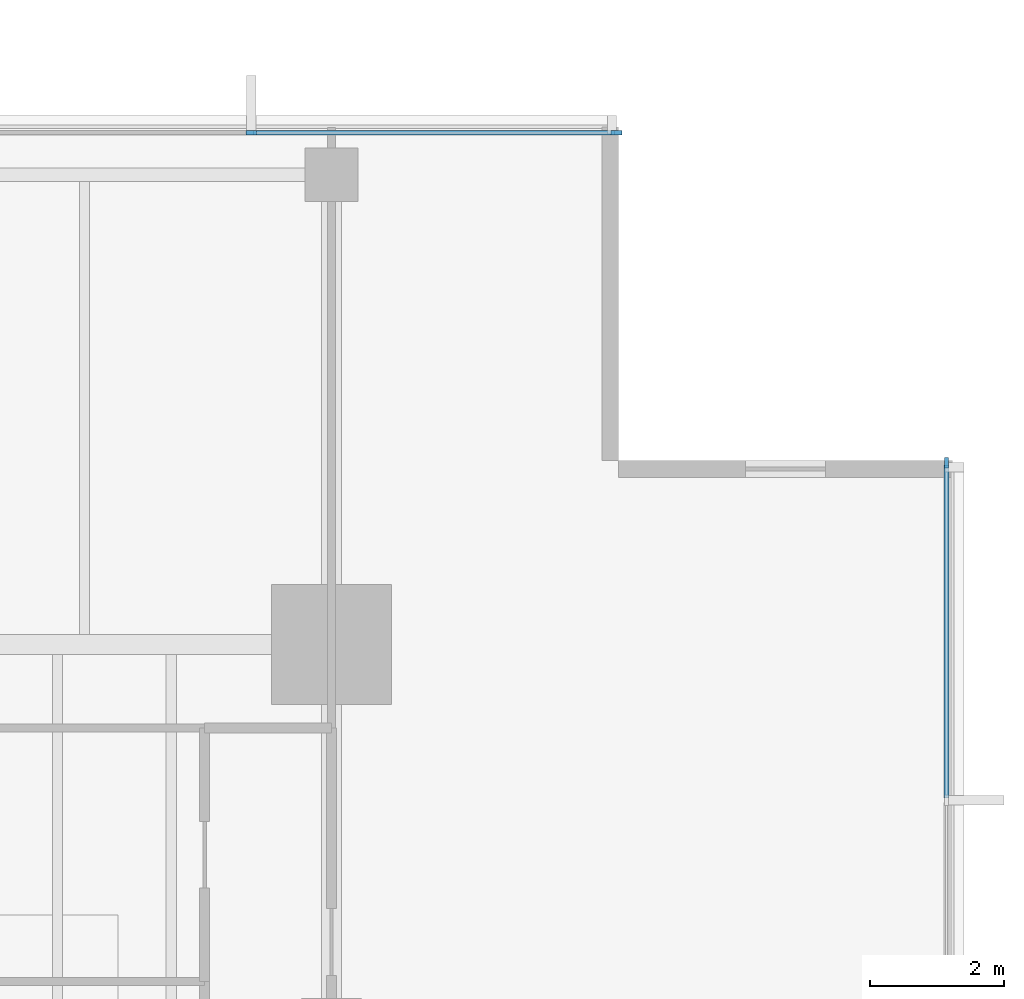
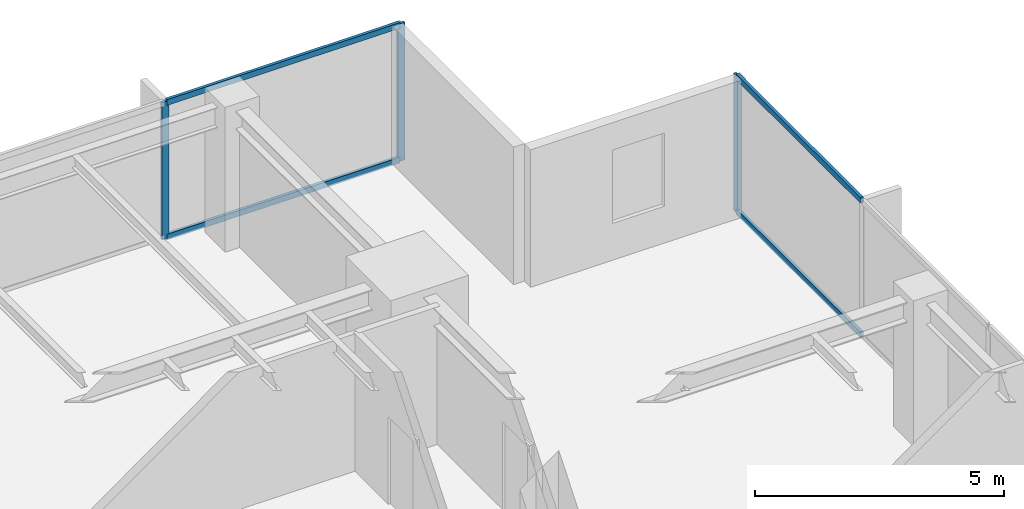
# One storey, part 6 of 14: 7 members, 2 elements without a shape of their own.
"""IFC4 building model written with IfcOpenShell, lengths in metres."""

import ifcopenshell
import ifcopenshell.guid

model = None  # the IFC model being written
_history = None  # IfcOwnerHistory: only IFC2X3 demands one
_inside = {}  # id of a spatial element -> (the spatial element, [elements in it])
_under = {}  # id of a project, library or spatial element -> (it, [spatial elements below it])
_declared = {}  # id of a project -> (the project, [libraries it declares])
_typed = {}  # id of a type object -> (the type object, [elements of that type])
_made_of = {}  # id of a material, layer set ... -> (it, [elements and type objects made of it])


def new_model(schema):
    """Start an empty IFC model of exactly this schema.

    Asked for "IFC4X3", IfcOpenShell would pick the latest addendum, in which some entities
    have other attributes; the version numbers below select the first issue.
    IFC2X3 requires an IfcOwnerHistory on every rooted entity: one is made here for all.
    """
    global model, _history
    if schema == "IFC4X3":
        model = ifcopenshell.file(schema_version=(4, 3, 0, 0))
    else:
        model = ifcopenshell.file(schema=schema)
    _inside.clear()
    _under.clear()
    _declared.clear()
    _typed.clear()
    _made_of.clear()
    _history = None
    if model.schema == "IFC2X3":
        org = make("IfcOrganization", Name="unknown")
        user = make(
            "IfcPersonAndOrganization",
            ThePerson=make("IfcPerson", FamilyName="unknown"),
            TheOrganization=org,
        )
        app = make(
            "IfcApplication",
            ApplicationDeveloper=org,
            Version="unknown",
            ApplicationFullName="unknown",
            ApplicationIdentifier="unknown",
        )
        _history = make(
            "IfcOwnerHistory",
            OwningUser=user,
            OwningApplication=app,
            ChangeAction="ADDED",
            CreationDate=0,
        )
    return model


def make(cls, **values):
    """One entity of the class cls with the attributes given. An attribute that is None is left unset."""
    return model.create_entity(
        cls, **{name: value for name, value in values.items() if value is not None}
    )


def rooted(cls, **values):
    """An entity with a GlobalId (a new one), such as an element, a storey or a relation."""
    return make(cls, GlobalId=ifcopenshell.guid.new(), OwnerHistory=_history, **values)


def si_unit(unit_type, name, prefix=None):
    """IfcSIUnit, for example si_unit("LENGTHUNIT", "METRE", prefix="MILLI")."""
    return make("IfcSIUnit", UnitType=unit_type, Prefix=prefix, Name=name)


def assignment(units):
    """IfcUnitAssignment: the units of a project."""
    return None if units is None else make("IfcUnitAssignment", Units=units)


def point(xyz):
    """IfcCartesianPoint."""
    return None if xyz is None else make("IfcCartesianPoint", Coordinates=xyz)


def direction(xyz):
    """IfcDirection."""
    return None if xyz is None else make("IfcDirection", DirectionRatios=xyz)


def frame(location, z_axis=None, x_axis=None):
    """IfcAxis2Placement3D, a coordinate frame: its origin and axes. An axis left out is left unset."""
    return make(
        "IfcAxis2Placement3D",
        Location=point(location),
        Axis=direction(z_axis),
        RefDirection=direction(x_axis),
    )


def frame_2d(location, x_axis=None):
    """IfcAxis2Placement2D, a coordinate frame in the plane: its origin and x axis."""
    return make(
        "IfcAxis2Placement2D", Location=point(location), RefDirection=direction(x_axis)
    )


def origin():
    """The frame at (0, 0, 0) with its axes left unset."""
    return frame((0.0, 0.0, 0.0))


def origin_2d():
    """The frame at (0, 0) in the plane with its x axis left unset."""
    return frame_2d((0.0, 0.0))


def place(relative_to, where):
    """IfcLocalPlacement: puts the frame where relative to a parent placement (None: the world)."""
    return make(
        "IfcLocalPlacement", PlacementRelTo=relative_to, RelativePlacement=where
    )


def context(
    kind, dimensions, precision=None, world=None, true_north=None, identifier=None
):
    """IfcGeometricRepresentationContext, for example the 3D "Model" context."""
    return make(
        "IfcGeometricRepresentationContext",
        ContextIdentifier=identifier,
        ContextType=kind,
        CoordinateSpaceDimension=dimensions,
        Precision=precision,
        WorldCoordinateSystem=world,
        TrueNorth=true_north,
    )


def subcontext(parent, identifier, kind, view, scale=None):
    """IfcGeometricRepresentationSubContext, for example "Body" below "Model"."""
    return make(
        "IfcGeometricRepresentationSubContext",
        ContextIdentifier=identifier,
        ContextType=kind,
        ParentContext=parent,
        TargetScale=scale,
        TargetView=view,
    )


def project(units=None, contexts=None):
    """IfcProject with its units and contexts."""
    return rooted(
        "IfcProject",
        Name="project",
        RepresentationContexts=contexts,
        UnitsInContext=assignment(units),
    )


def spatial(cls, under=None, at=None, **own):
    """A site, building, storey or space (cls), placed at a placement, below another one or the project."""
    s = rooted(cls, ObjectPlacement=at, **own)
    if under is not None:
        _under.setdefault(under.id(), (under, []))[1].append(s)
    return s


def profile(cls, at=None, kind="AREA", **sizes):
    """A parametric profile (cls). Its sizes go by their IFC names, for example OverallWidth=200.0."""
    return make(cls, ProfileType=kind, Position=at, **sizes)


def rectangle(**sizes):
    """IfcRectangleProfileDef."""
    return profile("IfcRectangleProfileDef", **sizes)


def extrude(swept, where, along, depth):
    """IfcExtrudedAreaSolid: the profile swept, set in the frame where, extruded along a direction by depth."""
    return make(
        "IfcExtrudedAreaSolid",
        SweptArea=swept,
        Position=where,
        ExtrudedDirection=direction(along),
        Depth=depth,
    )


def shape(context_of_items, identifier, shape_type, items):
    """IfcShapeRepresentation: the items that make up one representation, for example the "Body"."""
    return make(
        "IfcShapeRepresentation",
        ContextOfItems=context_of_items,
        RepresentationIdentifier=identifier,
        RepresentationType=shape_type,
        Items=items,
    )


def material(Name=None, Category=None):
    """IfcMaterial."""
    return make("IfcMaterial", Name=Name, Category=Category)


def layer(
    of_material, thickness, ventilated=None, Name=None, Category=None, Priority=None
):
    """IfcMaterialLayer: one layer of a wall or slab, of a material (None: an air gap)."""
    return make(
        "IfcMaterialLayer",
        Material=of_material,
        LayerThickness=thickness,
        IsVentilated=ventilated,
        Name=Name,
        Category=Category,
        Priority=Priority,
    )


def layer_set(layers, Name=None):
    """IfcMaterialLayerSet."""
    return make("IfcMaterialLayerSet", MaterialLayers=layers, LayerSetName=Name)


def material_profile(
    of_material, cross_section, Name=None, Category=None, Priority=None
):
    """IfcMaterialProfile: a cross section and its material."""
    return make(
        "IfcMaterialProfile",
        Name=Name,
        Material=of_material,
        Profile=cross_section,
        Priority=Priority,
        Category=Category,
    )


def profile_set(profiles, Name=None, composite=None):
    """IfcMaterialProfileSet."""
    return make(
        "IfcMaterialProfileSet",
        Name=Name,
        MaterialProfiles=profiles,
        CompositeProfile=composite,
    )


def made_of(thing, what):
    """Note that an element or type object is made of a material, layer set ...; save() writes the relation."""
    if what is not None:
        _made_of.setdefault(what.id(), (what, []))[1].append(thing)
    return thing


def type_object(cls, material=None, **own):
    """A type object (cls), such as IfcWallType, which elements share."""
    return made_of(rooted(cls, **own), material)


def element(
    cls,
    number,
    at=None,
    inside=None,
    cuts=None,
    type_object=None,
    material=None,
    context=None,
    identifier="Body",
    shape_type=None,
    held_by="IfcProductDefinitionShape",
    body=None,
    shapes=None,
    **own,
):
    """One element of the class cls, such as IfcWall. Its Tag is "e" and its number.

    at: its placement. inside: the storey or other place that contains it. cuts: it is an
    opening in that element (IfcRelVoidsElement). A single representation is given by context,
    identifier, shape_type and body (its items); several are given by shapes. held_by: the class
    of the entity that holds the representations. save() writes the other relations.
    """
    e = rooted(cls, Tag="e%d" % number, ObjectPlacement=at, **own)
    if body is not None:
        shapes = [shape(context, identifier, shape_type, body)]
    if shapes is not None:
        e.Representation = make(held_by, Representations=shapes)
    if inside is not None:
        _inside.setdefault(inside.id(), (inside, []))[1].append(e)
    if cuts is not None:
        rooted(
            "IfcRelVoidsElement", RelatingBuildingElement=cuts, RelatedOpeningElement=e
        )
    if type_object is not None:
        _typed.setdefault(type_object.id(), (type_object, []))[1].append(e)
    return made_of(e, material)


def aggregate(whole, parts):
    """IfcRelAggregates: a whole, such as a stair, and the parts it consists of."""
    return rooted("IfcRelAggregates", RelatingObject=whole, RelatedObjects=parts)


def save(model, path):
    """Write the relations noted so far, then the file.

    IfcRelAggregates (storeys below a building ...), IfcRelContainedInSpatialStructure (elements
    in a storey), IfcRelDefinesByType, IfcRelAssociatesMaterial and IfcRelDeclares: one each for
    every whole, place, type object, material and project.
    """
    for whole, parts in _under.values():
        aggregate(whole, parts)
    for where, things in _inside.values():
        rooted(
            "IfcRelContainedInSpatialStructure",
            RelatedElements=things,
            RelatingStructure=where,
        )
    for kind, things in _typed.values():
        rooted("IfcRelDefinesByType", RelatedObjects=things, RelatingType=kind)
    for what, things in _made_of.values():
        rooted("IfcRelAssociatesMaterial", RelatedObjects=things, RelatingMaterial=what)
    for by, libraries in _declared.values():
        rooted("IfcRelDeclares", RelatingContext=by, RelatedDefinitions=libraries)
    model.write(path)


model = new_model("IFC4")

# Units and contexts
model_context = context("Model", 3, precision=1e-05, world=origin(), true_north=direction((0.0, 1.0)))
body_context = subcontext(model_context, "Body", "Model", "MODEL_VIEW")
ifc_project = project(units=[si_unit("LENGTHUNIT", "METRE"), si_unit("AREAUNIT", "SQUARE_METRE"), si_unit("VOLUMEUNIT", "CUBIC_METRE"), si_unit("PLANEANGLEUNIT", "RADIAN"), si_unit("MASSUNIT", "GRAM", prefix="KILO")], contexts=[model_context])

# Site, building, storey
site_placement = place(None, origin())
site = spatial("IfcSite", under=ifc_project, at=site_placement, CompositionType="ELEMENT")
building_placement = place(site_placement, origin())
building = spatial("IfcBuilding", under=site, at=building_placement, Name="Kinhvarn Gate Tower", CompositionType="ELEMENT")
storey_placement = place(building_placement, frame((0.0, 0.0, 223.550048828125)))
storey = spatial("IfcBuildingStorey", under=building, at=storey_placement, Name="L59", CompositionType="ELEMENT", Elevation=223.550048828125)

# Curtain wall, members
ifc_material = material(Name="Anodised aluminium AW-6063", Category="aluminium")
ifc_layer = layer(ifc_material, 0.179931640625)
ifc_layer_set = layer_set([ifc_layer], Name="Anodised aluminium AW-6063")
curtain_wall_type = type_object("IfcCurtainWallType", Name="CW-SYS-3", PredefinedType="NOTDEFINED", material=ifc_layer_set)
curtain_wall_1_placement = place(storey_placement, origin())
curtain_wall_1 = element("IfcCurtainWall", 1, at=curtain_wall_1_placement, inside=storey, type_object=curtain_wall_type, Name="Curtain Wall CW3 (L59)", PredefinedType="NOTDEFINED")
ifc_material_profile_1 = material_profile(ifc_material, rectangle(XDim=0.06494140625, YDim=0.159912109375, at=origin_2d()), Name="ALU 65x160")
ifc_profile_set_1 = profile_set([ifc_material_profile_1], Name="Anodised aluminium AW-6063")
member_type_1 = type_object("IfcMemberType", Name="CW-MUL-160", PredefinedType="MULLION", material=ifc_profile_set_1)
member_1_placement = place(storey_placement, frame((42.467529296875, 45.409912109375, 0.0), z_axis=(0.0, 0.0, 1.0), x_axis=(0.0, -1.0, 0.0)))
member_1 = element("IfcMember", 2, at=member_1_placement, type_object=member_type_1, Name="CW3 mullion 1", PredefinedType="MULLION", context=body_context, shape_type="SweptSolid", body=[
    extrude(rectangle(XDim=0.06494140625, YDim=0.159912109375, at=origin_2d()), origin(), (0.0, 0.0, 1.0), 3.369873046875),
])
member_2_placement = place(storey_placement, frame((37.0, 45.409912109375, 0.0), z_axis=(0.0, 0.0, 1.0), x_axis=(0.0, -1.0, 0.0)))
member_2 = element("IfcMember", 3, at=member_2_placement, type_object=member_type_1, Name="CW3 mullion 2", PredefinedType="MULLION", context=body_context, shape_type="SweptSolid", body=[
    extrude(rectangle(XDim=0.06494140625, YDim=0.159912109375, at=origin_2d()), origin(), (0.0, 0.0, 1.0), 3.369873046875),
])

# Curtain wall, member
curtain_wall_2_placement = place(storey_placement, origin())
curtain_wall_2 = element("IfcCurtainWall", 4, at=curtain_wall_2_placement, inside=storey, type_object=curtain_wall_type, Name="Curtain Wall CW3 (L59)", PredefinedType="NOTDEFINED")
member_3_placement = place(storey_placement, frame((47.409912109375, 40.467529296875, 0.0), z_axis=(0.0, 0.0, 1.0), x_axis=(-1.0, 0.0, 0.0)))
member_3 = element("IfcMember", 5, at=member_3_placement, type_object=member_type_1, Name="CW3 mullion 7", PredefinedType="MULLION", context=body_context, shape_type="SweptSolid", body=[
    extrude(rectangle(XDim=0.06494140625, YDim=0.159912109375, at=origin_2d()), origin(), (0.0, 0.0, 1.0), 3.369873046875),
])

# Member
ifc_material_profile_2 = material_profile(ifc_material, rectangle(XDim=0.070068359375, YDim=0.139892578125, at=origin_2d()), Name="ALU 70x140")
ifc_profile_set_2 = profile_set([ifc_material_profile_2], Name="Anodised aluminium AW-6063")
member_type_2 = type_object("IfcMemberType", Name="CW-TRN-140", PredefinedType="USERDEFINED", material=ifc_profile_set_2)
member_4_placement = place(storey_placement, frame((42.43505859375, 45.409912109375, 0.034912109375), z_axis=(-1.0, 0.0, 0.0), x_axis=(0.0, -1.0, 0.0)))
member_4 = element("IfcMember", 6, at=member_4_placement, type_object=member_type_2, Name="CW3 transom 1.1", ObjectType="TRANSOM", PredefinedType="USERDEFINED", context=body_context, shape_type="SweptSolid", body=[
    extrude(rectangle(XDim=0.070068359375, YDim=0.139892578125, at=origin_2d()), origin(), (0.0, 0.0, 1.0), 5.402587890625),
])

member_5_placement = place(storey_placement, frame((42.43505859375, 45.409912109375, 3.3349609375), z_axis=(-1.0, 0.0, 0.0), x_axis=(0.0, -1.0, 0.0)))
member_5 = element("IfcMember", 7, at=member_5_placement, type_object=member_type_2, Name="CW3 transom 1.2", ObjectType="TRANSOM", PredefinedType="USERDEFINED", context=body_context, shape_type="SweptSolid", body=[
    extrude(rectangle(XDim=0.070068359375, YDim=0.139892578125, at=origin_2d()), origin(), (0.0, 0.0, 1.0), 5.402587890625),
])

aggregate(curtain_wall_1, [member_1, member_2, member_4, member_5])

member_6_placement = place(storey_placement, frame((47.409912109375, 35.44921875, 0.034912109375), z_axis=(0.0, 1.0, 0.0), x_axis=(-1.0, 0.0, 0.0)))
member_6 = element("IfcMember", 8, at=member_6_placement, type_object=member_type_2, Name="CW3 transom 6.1", ObjectType="TRANSOM", PredefinedType="USERDEFINED", context=body_context, shape_type="SweptSolid", body=[
    extrude(rectangle(XDim=0.070068359375, YDim=0.139892578125, at=origin_2d()), origin(), (0.0, 0.0, 1.0), 4.98583984375),
])

member_7_placement = place(storey_placement, frame((47.409912109375, 35.44921875, 3.3349609375), z_axis=(0.0, 1.0, 0.0), x_axis=(-1.0, 0.0, 0.0)))
member_7 = element("IfcMember", 9, at=member_7_placement, type_object=member_type_2, Name="CW3 transom 6.2", ObjectType="TRANSOM", PredefinedType="USERDEFINED", context=body_context, shape_type="SweptSolid", body=[
    extrude(rectangle(XDim=0.070068359375, YDim=0.139892578125, at=origin_2d()), origin(), (0.0, 0.0, 1.0), 4.98583984375),
])

aggregate(curtain_wall_2, [member_3, member_6, member_7])

save(model, "model.ifc")
